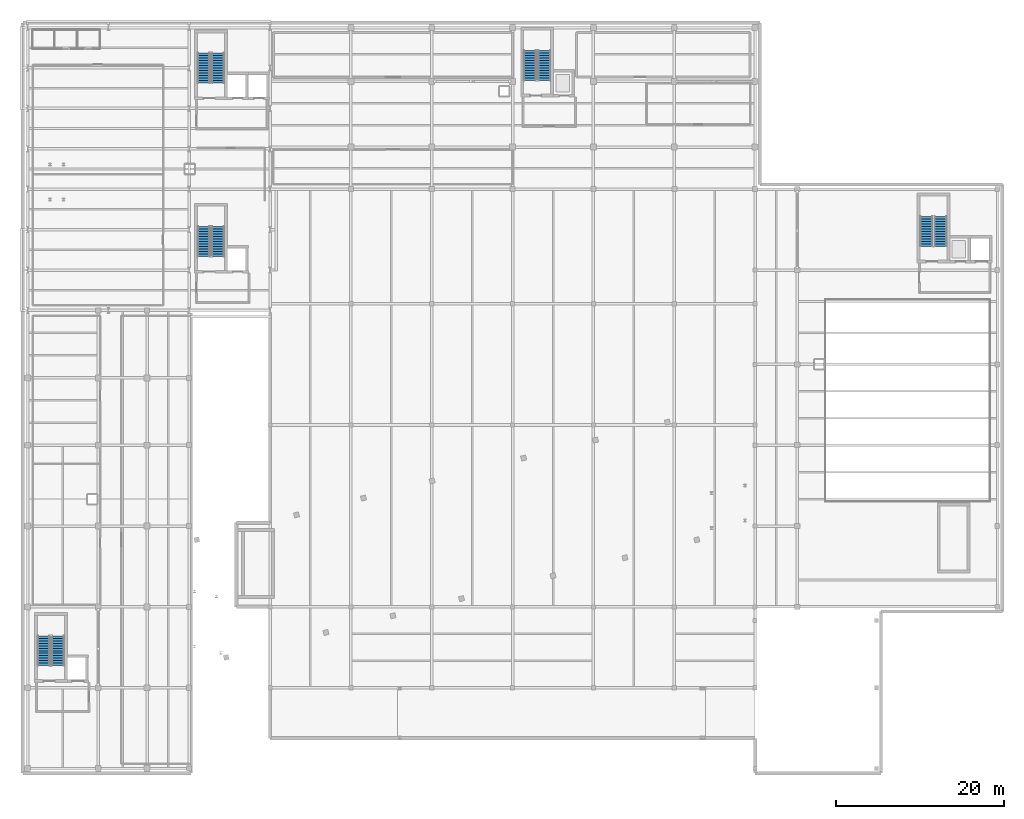
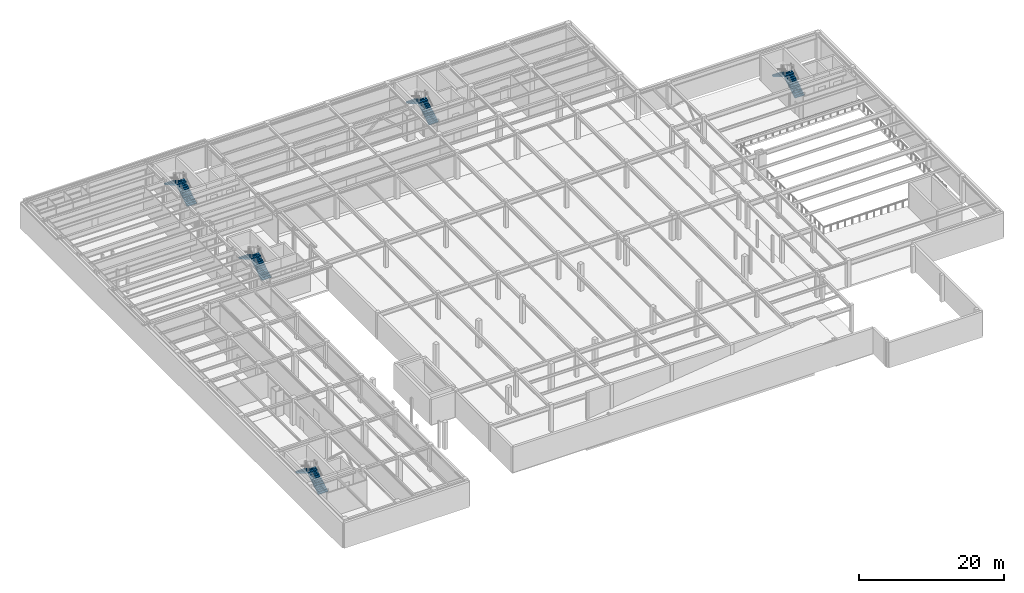
# One storey, part 25 of 32: 10 stair flights, 5 elements without a shape of their own.
"""IFC4 building model written with IfcOpenShell, lengths in metres."""

from ifc_helpers import new_model, si_unit, direction, frame, origin, place, context, subcontext, project, spatial, polyline, outline, extrude, material, type_object, element, aggregate, save


model = new_model("IFC4")

# Units and contexts
model_context = context("Model", 3, precision=1e-05, world=origin(), true_north=direction((0.0, 1.0)))
body_context = subcontext(model_context, "Body", "Model", "MODEL_VIEW")
ifc_project = project(units=[si_unit("LENGTHUNIT", "METRE"), si_unit("AREAUNIT", "SQUARE_METRE"), si_unit("VOLUMEUNIT", "CUBIC_METRE"), si_unit("PLANEANGLEUNIT", "RADIAN"), si_unit("MASSUNIT", "GRAM", prefix="KILO")], contexts=[model_context])

# Site, building, storey
site_placement = place(None, origin())
site = spatial("IfcSite", under=ifc_project, at=site_placement, CompositionType="ELEMENT")
building_placement = place(site_placement, origin())
building = spatial("IfcBuilding", under=site, at=building_placement, Name="Nordkorset Police Headquarters", CompositionType="ELEMENT")
storey_placement = place(building_placement, frame((0.0, 0.0, -4.550048828125)))
storey = spatial("IfcBuildingStorey", under=building, at=storey_placement, Name="B01", CompositionType="ELEMENT", Elevation=-4.550048828125)

# Stair, stair flights
ifc_material_1 = material(Name="Concrete C35/45", Category="concrete")
stair_type = type_object("IfcStairType", Name="ST-45", PredefinedType="HALF_TURN_STAIR", material=ifc_material_1)
stair_1_placement = place(storey_placement, origin())
stair_1 = element("IfcStair", 1, at=stair_1_placement, inside=storey, type_object=stair_type, Name="B01 Protected Escape Stair ST-01", PredefinedType="HALF_TURN_STAIR")
ifc_material_2 = material(Name="Concrete C35/45", Category="concrete")
stair_flight_type = type_object("IfcStairFlightType", Name="SF-45", PredefinedType="STRAIGHT", material=ifc_material_2)
stair_flight_1_placement = place(storey_placement, frame((22.625, 110.22509765625, 0.0), z_axis=(0.0, 0.0, 1.0), x_axis=(0.0, 1.0, 0.0)))
stair_flight_1 = element("IfcStairFlight", 2, at=stair_flight_1_placement, type_object=stair_flight_type, Name="ST-01 flight 1", NumberOfRisers=13, NumberOfTreads=12, PredefinedType="STRAIGHT", RiserHeight=0.175, TreadLength=0.295, context=body_context, shape_type="SweptSolid", body=[
    extrude(outline(polyline([(0.0, 0.0), (0.0, 0.175048828125), (0.294921875, 0.175048828125), (0.294921875, 0.35009765625), (0.590087890625, 0.35009765625), (0.590087890625, 0.52490234375), (0.885009765625, 0.52490234375), (0.885009765625, 0.699951171875), (1.179931640625, 0.699951171875), (1.179931640625, 0.875), (1.47509765625, 0.875), (1.47509765625, 1.050048828125), (1.77001953125, 1.050048828125), (1.77001953125, 1.22509765625), (2.06494140625, 1.22509765625), (2.06494140625, 1.39990234375), (2.360107421875, 1.39990234375), (2.360107421875, 1.574951171875), (2.655029296875, 1.574951171875), (2.655029296875, 1.75), (2.949951171875, 1.75), (2.949951171875, 1.925048828125), (3.2451171875, 1.925048828125), (3.2451171875, 2.10009765625), (3.5400390625, 2.10009765625), (3.5400390625, 2.27490234375), (3.5400390625, 1.9140625), (0.3134765625, 0.0), (0.0, 0.0)])), frame((0.0, 0.75, 0.0), z_axis=(0.0, -1.0, 0.0), x_axis=(1.0, 0.0, 0.0)), (0.0, 0.0, 1.0), 1.5),
])
stair_flight_2_placement = place(storey_placement, frame((20.925048828125, 113.764892578125, 2.275146484375), z_axis=(0.0, 0.0, 1.0), x_axis=(0.0, -1.0, 0.0)))
stair_flight_2 = element("IfcStairFlight", 3, at=stair_flight_2_placement, type_object=stair_flight_type, Name="ST-01 flight 2", NumberOfRisers=13, NumberOfTreads=12, PredefinedType="STRAIGHT", RiserHeight=0.175, TreadLength=0.295, context=body_context, shape_type="SweptSolid", body=[
    extrude(outline(polyline([(0.0, 0.0), (0.0, 0.175048828125), (0.294921875, 0.175048828125), (0.294921875, 0.35009765625), (0.590087890625, 0.35009765625), (0.590087890625, 0.52490234375), (0.885009765625, 0.52490234375), (0.885009765625, 0.699951171875), (1.179931640625, 0.699951171875), (1.179931640625, 0.875), (1.47509765625, 0.875), (1.47509765625, 1.050048828125), (1.77001953125, 1.050048828125), (1.77001953125, 1.22509765625), (2.06494140625, 1.22509765625), (2.06494140625, 1.39990234375), (2.360107421875, 1.39990234375), (2.360107421875, 1.574951171875), (2.655029296875, 1.574951171875), (2.655029296875, 1.75), (2.949951171875, 1.75), (2.949951171875, 1.925048828125), (3.2451171875, 1.925048828125), (3.2451171875, 2.10009765625), (3.5400390625, 2.10009765625), (3.5400390625, 2.27490234375), (3.5400390625, 1.9140625), (0.3134765625, 0.0), (0.0, 0.0)])), frame((0.0, 0.75, 0.0), z_axis=(0.0, -1.0, 0.0), x_axis=(1.0, 0.0, 0.0)), (0.0, 0.0, 1.0), 1.5),
])
aggregate(stair_1, [stair_flight_1, stair_flight_2])

stair_2_placement = place(storey_placement, origin())
stair_2 = element("IfcStair", 4, at=stair_2_placement, inside=storey, type_object=stair_type, Name="B01 Protected Escape Stair ST-03", PredefinedType="HALF_TURN_STAIR")
stair_flight_3_placement = place(storey_placement, frame((22.625, 89.625, 0.0), z_axis=(0.0, 0.0, 1.0), x_axis=(0.0, 1.0, 0.0)))
stair_flight_3 = element("IfcStairFlight", 5, at=stair_flight_3_placement, type_object=stair_flight_type, Name="ST-03 flight 1", NumberOfRisers=13, NumberOfTreads=12, PredefinedType="STRAIGHT", RiserHeight=0.175, TreadLength=0.295, context=body_context, shape_type="SweptSolid", body=[
    extrude(outline(polyline([(0.0, 0.0), (0.0, 0.175048828125), (0.294921875, 0.175048828125), (0.294921875, 0.35009765625), (0.590087890625, 0.35009765625), (0.590087890625, 0.52490234375), (0.885009765625, 0.52490234375), (0.885009765625, 0.699951171875), (1.179931640625, 0.699951171875), (1.179931640625, 0.875), (1.47509765625, 0.875), (1.47509765625, 1.050048828125), (1.77001953125, 1.050048828125), (1.77001953125, 1.22509765625), (2.06494140625, 1.22509765625), (2.06494140625, 1.39990234375), (2.360107421875, 1.39990234375), (2.360107421875, 1.574951171875), (2.655029296875, 1.574951171875), (2.655029296875, 1.75), (2.949951171875, 1.75), (2.949951171875, 1.925048828125), (3.2451171875, 1.925048828125), (3.2451171875, 2.10009765625), (3.5400390625, 2.10009765625), (3.5400390625, 2.27490234375), (3.5400390625, 1.9140625), (0.3134765625, 0.0), (0.0, 0.0)])), frame((0.0, 0.75, 0.0), z_axis=(0.0, -1.0, 0.0), x_axis=(1.0, 0.0, 0.0)), (0.0, 0.0, 1.0), 1.5),
])
stair_flight_4_placement = place(storey_placement, frame((20.925048828125, 93.1650390625, 2.275146484375), z_axis=(0.0, 0.0, 1.0), x_axis=(0.0, -1.0, 0.0)))
stair_flight_4 = element("IfcStairFlight", 6, at=stair_flight_4_placement, type_object=stair_flight_type, Name="ST-03 flight 2", NumberOfRisers=13, NumberOfTreads=12, PredefinedType="STRAIGHT", RiserHeight=0.175, TreadLength=0.295, context=body_context, shape_type="SweptSolid", body=[
    extrude(outline(polyline([(0.0, 0.0), (0.0, 0.175048828125), (0.294921875, 0.175048828125), (0.294921875, 0.35009765625), (0.590087890625, 0.35009765625), (0.590087890625, 0.52490234375), (0.885009765625, 0.52490234375), (0.885009765625, 0.699951171875), (1.179931640625, 0.699951171875), (1.179931640625, 0.875), (1.47509765625, 0.875), (1.47509765625, 1.050048828125), (1.77001953125, 1.050048828125), (1.77001953125, 1.22509765625), (2.06494140625, 1.22509765625), (2.06494140625, 1.39990234375), (2.360107421875, 1.39990234375), (2.360107421875, 1.574951171875), (2.655029296875, 1.574951171875), (2.655029296875, 1.75), (2.949951171875, 1.75), (2.949951171875, 1.925048828125), (3.2451171875, 1.925048828125), (3.2451171875, 2.10009765625), (3.5400390625, 2.10009765625), (3.5400390625, 2.27490234375), (3.5400390625, 1.9140625), (0.3134765625, 0.0), (0.0, 0.0)])), frame((0.0, 0.75, 0.0), z_axis=(0.0, -1.0, 0.0), x_axis=(1.0, 0.0, 0.0)), (0.0, 0.0, 1.0), 1.5),
])
aggregate(stair_2, [stair_flight_3, stair_flight_4])

stair_3_placement = place(storey_placement, origin())
stair_3 = element("IfcStair", 7, at=stair_3_placement, inside=storey, type_object=stair_type, Name="B01 Protected Escape Stair ST-02", PredefinedType="HALF_TURN_STAIR")
stair_flight_5_placement = place(storey_placement, frame((61.375, 110.52490234375, 0.0), z_axis=(0.0, 0.0, 1.0), x_axis=(0.0, 1.0, 0.0)))
stair_flight_5 = element("IfcStairFlight", 8, at=stair_flight_5_placement, type_object=stair_flight_type, Name="ST-02 flight 1", NumberOfRisers=13, NumberOfTreads=12, PredefinedType="STRAIGHT", RiserHeight=0.175, TreadLength=0.295, context=body_context, shape_type="SweptSolid", body=[
    extrude(outline(polyline([(0.0, 0.0), (0.0, 0.175048828125), (0.294921875, 0.175048828125), (0.294921875, 0.35009765625), (0.590087890625, 0.35009765625), (0.590087890625, 0.52490234375), (0.885009765625, 0.52490234375), (0.885009765625, 0.699951171875), (1.179931640625, 0.699951171875), (1.179931640625, 0.875), (1.47509765625, 0.875), (1.47509765625, 1.050048828125), (1.77001953125, 1.050048828125), (1.77001953125, 1.22509765625), (2.06494140625, 1.22509765625), (2.06494140625, 1.39990234375), (2.360107421875, 1.39990234375), (2.360107421875, 1.574951171875), (2.655029296875, 1.574951171875), (2.655029296875, 1.75), (2.949951171875, 1.75), (2.949951171875, 1.925048828125), (3.2451171875, 1.925048828125), (3.2451171875, 2.10009765625), (3.5400390625, 2.10009765625), (3.5400390625, 2.27490234375), (3.5400390625, 1.9140625), (0.3134765625, 0.0), (0.0, 0.0)])), frame((0.0, 0.75, 0.0), z_axis=(0.0, -1.0, 0.0), x_axis=(1.0, 0.0, 0.0)), (0.0, 0.0, 1.0), 1.5),
])
stair_flight_6_placement = place(storey_placement, frame((59.675048828125, 114.06494140625, 2.275146484375), z_axis=(0.0, 0.0, 1.0), x_axis=(0.0, -1.0, 0.0)))
stair_flight_6 = element("IfcStairFlight", 9, at=stair_flight_6_placement, type_object=stair_flight_type, Name="ST-02 flight 2", NumberOfRisers=13, NumberOfTreads=12, PredefinedType="STRAIGHT", RiserHeight=0.175, TreadLength=0.295, context=body_context, shape_type="SweptSolid", body=[
    extrude(outline(polyline([(0.0, 0.0), (0.0, 0.175048828125), (0.294921875, 0.175048828125), (0.294921875, 0.35009765625), (0.590087890625, 0.35009765625), (0.590087890625, 0.52490234375), (0.885009765625, 0.52490234375), (0.885009765625, 0.699951171875), (1.179931640625, 0.699951171875), (1.179931640625, 0.875), (1.47509765625, 0.875), (1.47509765625, 1.050048828125), (1.77001953125, 1.050048828125), (1.77001953125, 1.22509765625), (2.06494140625, 1.22509765625), (2.06494140625, 1.39990234375), (2.360107421875, 1.39990234375), (2.360107421875, 1.574951171875), (2.655029296875, 1.574951171875), (2.655029296875, 1.75), (2.949951171875, 1.75), (2.949951171875, 1.925048828125), (3.2451171875, 1.925048828125), (3.2451171875, 2.10009765625), (3.5400390625, 2.10009765625), (3.5400390625, 2.27490234375), (3.5400390625, 1.9140625), (0.3134765625, 0.0), (0.0, 0.0)])), frame((0.0, 0.75, 0.0), z_axis=(0.0, -1.0, 0.0), x_axis=(1.0, 0.0, 0.0)), (0.0, 0.0, 1.0), 1.5),
])
aggregate(stair_3, [stair_flight_5, stair_flight_6])

stair_4_placement = place(storey_placement, origin())
stair_4 = element("IfcStair", 10, at=stair_4_placement, inside=storey, type_object=stair_type, Name="B01 Protected Escape Stair ST-04", PredefinedType="HALF_TURN_STAIR")
stair_flight_7_placement = place(storey_placement, frame((3.625, 41.02490234375, 0.0), z_axis=(0.0, 0.0, 1.0), x_axis=(0.0, 1.0, 0.0)))
stair_flight_7 = element("IfcStairFlight", 11, at=stair_flight_7_placement, type_object=stair_flight_type, Name="ST-04 flight 1", NumberOfRisers=13, NumberOfTreads=12, PredefinedType="STRAIGHT", RiserHeight=0.175, TreadLength=0.295, context=body_context, shape_type="SweptSolid", body=[
    extrude(outline(polyline([(0.0, 0.0), (0.0, 0.175048828125), (0.294921875, 0.175048828125), (0.294921875, 0.35009765625), (0.590087890625, 0.35009765625), (0.590087890625, 0.52490234375), (0.885009765625, 0.52490234375), (0.885009765625, 0.699951171875), (1.179931640625, 0.699951171875), (1.179931640625, 0.875), (1.47509765625, 0.875), (1.47509765625, 1.050048828125), (1.77001953125, 1.050048828125), (1.77001953125, 1.22509765625), (2.06494140625, 1.22509765625), (2.06494140625, 1.39990234375), (2.360107421875, 1.39990234375), (2.360107421875, 1.574951171875), (2.655029296875, 1.574951171875), (2.655029296875, 1.75), (2.949951171875, 1.75), (2.949951171875, 1.925048828125), (3.2451171875, 1.925048828125), (3.2451171875, 2.10009765625), (3.5400390625, 2.10009765625), (3.5400390625, 2.27490234375), (3.5400390625, 1.9140625), (0.3134765625, 0.0), (0.0, 0.0)])), frame((0.0, 0.75, 0.0), z_axis=(0.0, -1.0, 0.0), x_axis=(1.0, 0.0, 0.0)), (0.0, 0.0, 1.0), 1.5),
])
stair_flight_8_placement = place(storey_placement, frame((1.925048828125, 44.56494140625, 2.275146484375), z_axis=(0.0, 0.0, 1.0), x_axis=(0.0, -1.0, 0.0)))
stair_flight_8 = element("IfcStairFlight", 12, at=stair_flight_8_placement, type_object=stair_flight_type, Name="ST-04 flight 2", NumberOfRisers=13, NumberOfTreads=12, PredefinedType="STRAIGHT", RiserHeight=0.175, TreadLength=0.295, context=body_context, shape_type="SweptSolid", body=[
    extrude(outline(polyline([(0.0, 0.0), (0.0, 0.175048828125), (0.294921875, 0.175048828125), (0.294921875, 0.35009765625), (0.590087890625, 0.35009765625), (0.590087890625, 0.52490234375), (0.885009765625, 0.52490234375), (0.885009765625, 0.699951171875), (1.179931640625, 0.699951171875), (1.179931640625, 0.875), (1.47509765625, 0.875), (1.47509765625, 1.050048828125), (1.77001953125, 1.050048828125), (1.77001953125, 1.22509765625), (2.06494140625, 1.22509765625), (2.06494140625, 1.39990234375), (2.360107421875, 1.39990234375), (2.360107421875, 1.574951171875), (2.655029296875, 1.574951171875), (2.655029296875, 1.75), (2.949951171875, 1.75), (2.949951171875, 1.925048828125), (3.2451171875, 1.925048828125), (3.2451171875, 2.10009765625), (3.5400390625, 2.10009765625), (3.5400390625, 2.27490234375), (3.5400390625, 1.9140625), (0.3134765625, 0.0), (0.0, 0.0)])), frame((0.0, 0.75, 0.0), z_axis=(0.0, -1.0, 0.0), x_axis=(1.0, 0.0, 0.0)), (0.0, 0.0, 1.0), 1.5),
])
aggregate(stair_4, [stair_flight_7, stair_flight_8])

stair_5_placement = place(storey_placement, origin())
stair_5 = element("IfcStair", 13, at=stair_5_placement, inside=storey, type_object=stair_type, Name="B01 Protected Escape Stair ST-05", PredefinedType="HALF_TURN_STAIR")
stair_flight_9_placement = place(storey_placement, frame((108.425048828125, 90.824951171875, 0.0), z_axis=(0.0, 0.0, 1.0), x_axis=(0.0, 1.0, 0.0)))
stair_flight_9 = element("IfcStairFlight", 14, at=stair_flight_9_placement, type_object=stair_flight_type, Name="ST-05 flight 1", NumberOfRisers=13, NumberOfTreads=12, PredefinedType="STRAIGHT", RiserHeight=0.175, TreadLength=0.295, context=body_context, shape_type="SweptSolid", body=[
    extrude(outline(polyline([(0.0, 0.0), (0.0, 0.175048828125), (0.294921875, 0.175048828125), (0.294921875, 0.35009765625), (0.590087890625, 0.35009765625), (0.590087890625, 0.52490234375), (0.885009765625, 0.52490234375), (0.885009765625, 0.699951171875), (1.179931640625, 0.699951171875), (1.179931640625, 0.875), (1.47509765625, 0.875), (1.47509765625, 1.050048828125), (1.77001953125, 1.050048828125), (1.77001953125, 1.22509765625), (2.06494140625, 1.22509765625), (2.06494140625, 1.39990234375), (2.360107421875, 1.39990234375), (2.360107421875, 1.574951171875), (2.655029296875, 1.574951171875), (2.655029296875, 1.75), (2.949951171875, 1.75), (2.949951171875, 1.925048828125), (3.2451171875, 1.925048828125), (3.2451171875, 2.10009765625), (3.5400390625, 2.10009765625), (3.5400390625, 2.27490234375), (3.5400390625, 1.9140625), (0.3134765625, 0.0), (0.0, 0.0)])), frame((0.0, 0.75, 0.0), z_axis=(0.0, -1.0, 0.0), x_axis=(1.0, 0.0, 0.0)), (0.0, 0.0, 1.0), 1.5),
])
stair_flight_10_placement = place(storey_placement, frame((106.72509765625, 94.364990234375, 2.275146484375), z_axis=(0.0, 0.0, 1.0), x_axis=(0.0, -1.0, 0.0)))
stair_flight_10 = element("IfcStairFlight", 15, at=stair_flight_10_placement, type_object=stair_flight_type, Name="ST-05 flight 2", NumberOfRisers=13, NumberOfTreads=12, PredefinedType="STRAIGHT", RiserHeight=0.175, TreadLength=0.295, context=body_context, shape_type="SweptSolid", body=[
    extrude(outline(polyline([(0.0, 0.0), (0.0, 0.175048828125), (0.294921875, 0.175048828125), (0.294921875, 0.35009765625), (0.590087890625, 0.35009765625), (0.590087890625, 0.52490234375), (0.885009765625, 0.52490234375), (0.885009765625, 0.699951171875), (1.179931640625, 0.699951171875), (1.179931640625, 0.875), (1.47509765625, 0.875), (1.47509765625, 1.050048828125), (1.77001953125, 1.050048828125), (1.77001953125, 1.22509765625), (2.06494140625, 1.22509765625), (2.06494140625, 1.39990234375), (2.360107421875, 1.39990234375), (2.360107421875, 1.574951171875), (2.655029296875, 1.574951171875), (2.655029296875, 1.75), (2.949951171875, 1.75), (2.949951171875, 1.925048828125), (3.2451171875, 1.925048828125), (3.2451171875, 2.10009765625), (3.5400390625, 2.10009765625), (3.5400390625, 2.27490234375), (3.5400390625, 1.9140625), (0.3134765625, 0.0), (0.0, 0.0)])), frame((0.0, 0.75, 0.0), z_axis=(0.0, -1.0, 0.0), x_axis=(1.0, 0.0, 0.0)), (0.0, 0.0, 1.0), 1.5),
])
aggregate(stair_5, [stair_flight_9, stair_flight_10])

save(model, "model.ifc")
